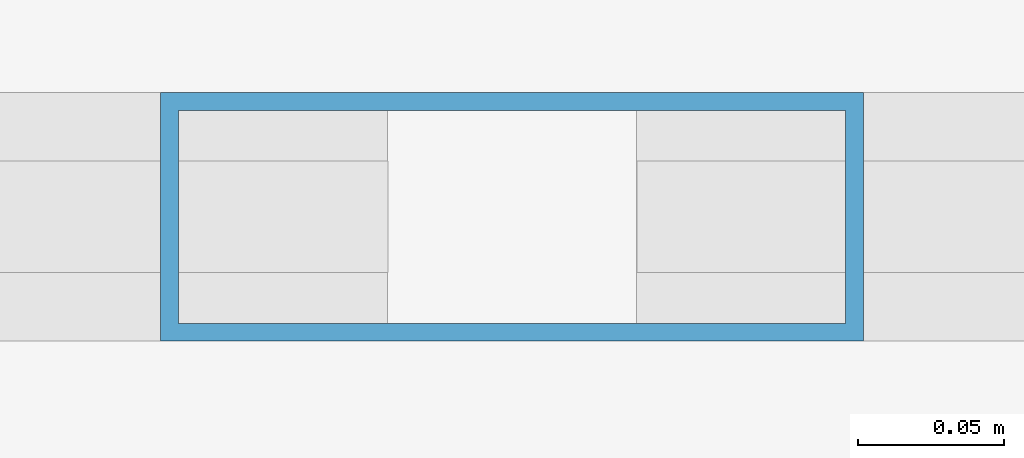
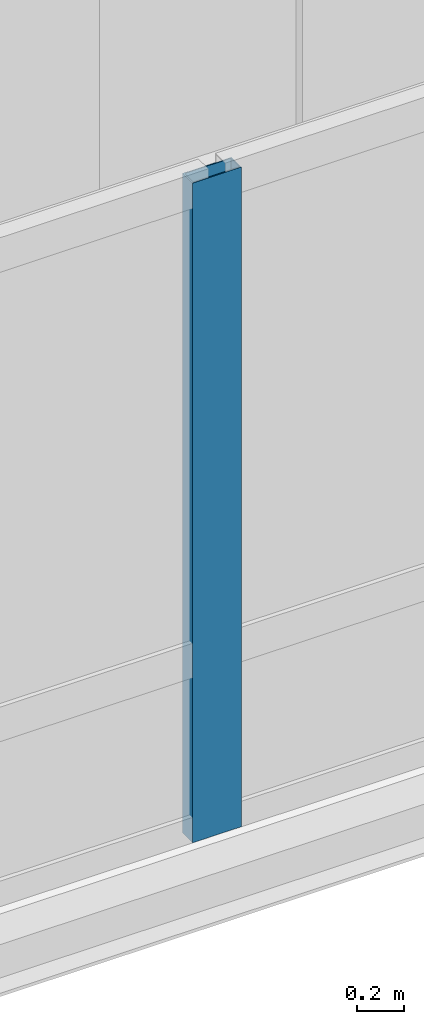
# One storey, part 7 of 29: 1 member, 1 element without a shape of its own.
"""IFC4 building model written with IfcOpenShell, lengths in metres."""

from ifc_helpers import new_model, si_unit, direction, frame, origin, origin_2d, place, context, subcontext, project, spatial, hollow_rectangle, extrude, material, material_profile, profile_set, type_object, element, aggregate, save


model = new_model("IFC4")

# Units and contexts
model_context = context("Model", 3, precision=1e-05, world=origin(), true_north=direction((0.0, 1.0)))
body_context = subcontext(model_context, "Body", "Model", "MODEL_VIEW")
ifc_project = project(units=[si_unit("LENGTHUNIT", "METRE"), si_unit("AREAUNIT", "SQUARE_METRE"), si_unit("VOLUMEUNIT", "CUBIC_METRE"), si_unit("PLANEANGLEUNIT", "RADIAN"), si_unit("MASSUNIT", "GRAM", prefix="KILO")], contexts=[model_context])

# Site, building, storey
site_placement = place(None, origin())
site = spatial("IfcSite", under=ifc_project, at=site_placement, CompositionType="ELEMENT")
building_placement = place(site_placement, origin())
building = spatial("IfcBuilding", under=site, at=building_placement, Name="Khoronbel Lancet Exchange", CompositionType="ELEMENT")
storey_placement = place(building_placement, frame((0.0, 0.0, 336.199951171875)))
storey = spatial("IfcBuildingStorey", under=building, at=storey_placement, Name="L87", CompositionType="ELEMENT", Elevation=336.199951171875)

# Curtain wall, member
ifc_material_1 = material(Name="Low-E Solar Control Insulating Glass", Category="glass")
curtain_wall_type = type_object("IfcCurtainWallType", Name="CW-3", PredefinedType="NOTDEFINED", material=ifc_material_1)
curtain_wall_placement = place(storey_placement, origin())
curtain_wall = element("IfcCurtainWall", 1, at=curtain_wall_placement, inside=storey, type_object=curtain_wall_type, Name="Unitised curtain wall CW-L87-SCV", PredefinedType="NOTDEFINED")
ifc_material_2 = material(Name="Bronze-Anodised Aluminium 6063-T6", Category="aluminium")
ifc_material_profile = material_profile(ifc_material_2, hollow_rectangle(XDim=0.0849609375, YDim=0.239990234375, WallThickness=0.006103515625, at=origin_2d()), Name="ALU MULLION 85x240")
ifc_profile_set = profile_set([ifc_material_profile], Name="Bronze-Anodised Aluminium 6063-T6")
member_type = type_object("IfcMemberType", Name="MEM-CWM1", PredefinedType="MULLION", material=ifc_profile_set)
member_placement = place(storey_placement, frame((36.449951171875, 9.7900390625, 0.0), z_axis=(0.0, 0.0, 1.0), x_axis=(0.0, 1.0, 0.0)))
member = element("IfcMember", 2, at=member_placement, type_object=member_type, Name="CW3 mullion 2", PredefinedType="MULLION", context=body_context, shape_type="SweptSolid", body=[
    extrude(hollow_rectangle(XDim=0.0849609375, YDim=0.239990234375, WallThickness=0.006103515625, at=origin_2d()), origin(), (0.0, 0.0, 1.0), 3.43994140625),
])
aggregate(curtain_wall, [member])

save(model, "model.ifc")
